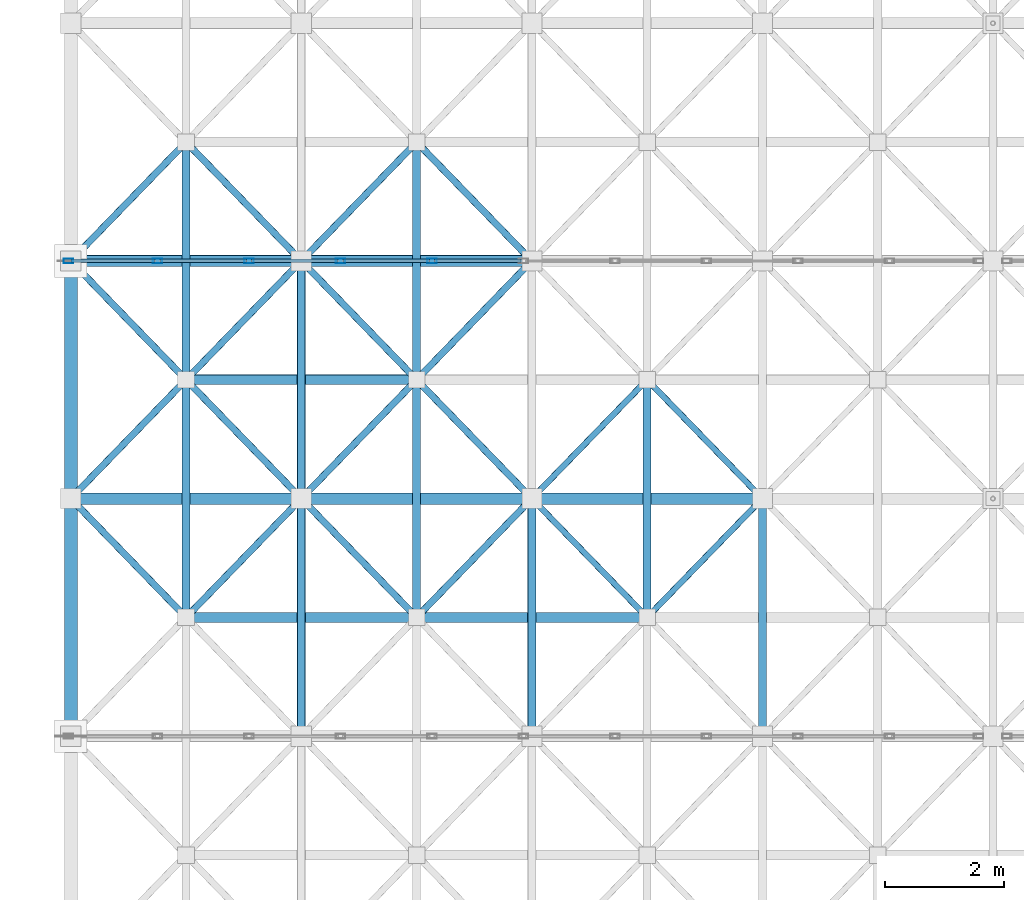
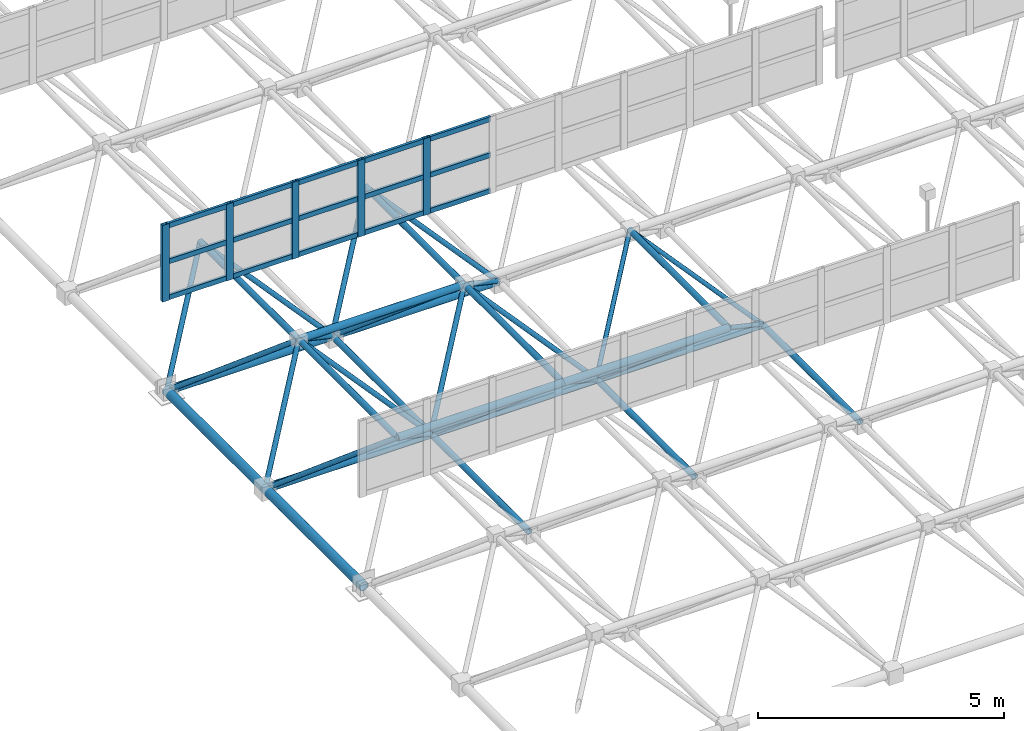
# One storey, part 53 of 195: 59 members, 1 element without a shape of its own.
"""IFC4 building model written with IfcOpenShell, lengths in metres."""

from ifc_helpers import new_model, si_unit, direction, frame, origin, origin_2d, place, context, subcontext, project, spatial, hollow_rectangle, hollow_circle, extrude, material, material_profile, profile_set, type_object, element, aggregate, save


model = new_model("IFC4")

# Units and contexts
model_context = context("Model", 3, precision=1e-05, world=origin(), true_north=direction((0.0, 1.0)))
body_context = subcontext(model_context, "Body", "Model", "MODEL_VIEW")
ifc_project = project(units=[si_unit("LENGTHUNIT", "METRE"), si_unit("AREAUNIT", "SQUARE_METRE"), si_unit("VOLUMEUNIT", "CUBIC_METRE"), si_unit("PLANEANGLEUNIT", "RADIAN"), si_unit("MASSUNIT", "GRAM", prefix="KILO")], contexts=[model_context])

# Site, building, storey
site_placement = place(None, origin())
site = spatial("IfcSite", under=ifc_project, at=site_placement, CompositionType="ELEMENT")
building_placement = place(site_placement, origin())
building = spatial("IfcBuilding", under=site, at=building_placement, Name="Kharva Crest Polytechnic", CompositionType="ELEMENT")
storey_placement = place(building_placement, frame((0.0, 0.0, 9.0)))
storey = spatial("IfcBuildingStorey", under=building, at=storey_placement, Name="L02", CompositionType="ELEMENT", Elevation=9.0)

# Curtain wall, members
ifc_material_1 = material(Name="Tempered insulated glass", Category="glass")
curtain_wall_type = type_object("IfcCurtainWallType", Name="CW-SYS-NORTHLIGHT", PredefinedType="USERDEFINED", material=ifc_material_1)
curtain_wall_placement = place(storey_placement, origin())
curtain_wall = element("IfcCurtainWall", 1, at=curtain_wall_placement, inside=storey, type_object=curtain_wall_type, Name="L02 Glazed Curtain Wall CW-191", ObjectType="CURTAIN WALL", PredefinedType="USERDEFINED")
ifc_material_2 = material(Name="Steel S355", Category="steel")
ifc_material_profile_1 = material_profile(ifc_material_2, hollow_rectangle(XDim=0.080078125, YDim=0.159912109375, WallThickness=0.0048828125, at=origin_2d()), Name="RHS 160X80X5.0")
ifc_profile_set_1 = profile_set([ifc_material_profile_1], Name="Steel S355")
member_type_1 = type_object("IfcMemberType", Name="CWM-RHS160X80", PredefinedType="MULLION", material=ifc_profile_set_1)
member_1_placement = place(storey_placement, frame((0.43994140625, 54.800048828125, 2.85009765625), z_axis=(0.0, 0.0, 1.0), x_axis=(0.0, 1.0, 0.0)))
member_1 = element("IfcMember", 2, at=member_1_placement, type_object=member_type_1, Name="CW-191 mullion 1", PredefinedType="MULLION", context=body_context, shape_type="SweptSolid", body=[
    extrude(hollow_rectangle(XDim=0.080078125, YDim=0.159912109375, WallThickness=0.0048828125, at=origin_2d()), origin(), (0.0, 0.0, 1.0), 1.89990234375),
])
member_2_placement = place(storey_placement, frame((1.93994140625, 54.800048828125, 2.85009765625), z_axis=(0.0, 0.0, 1.0), x_axis=(0.0, 1.0, 0.0)))
member_2 = element("IfcMember", 3, at=member_2_placement, type_object=member_type_1, Name="CW-191 mullion 2", PredefinedType="MULLION", context=body_context, shape_type="SweptSolid", body=[
    extrude(hollow_rectangle(XDim=0.080078125, YDim=0.159912109375, WallThickness=0.0048828125, at=origin_2d()), origin(), (0.0, 0.0, 1.0), 1.89990234375),
])
member_3_placement = place(storey_placement, frame((3.47998046875, 54.800048828125, 2.85009765625), z_axis=(0.0, 0.0, 1.0), x_axis=(0.0, 1.0, 0.0)))
member_3 = element("IfcMember", 4, at=member_3_placement, type_object=member_type_1, Name="CW-191 mullion 3", PredefinedType="MULLION", context=body_context, shape_type="SweptSolid", body=[
    extrude(hollow_rectangle(XDim=0.080078125, YDim=0.159912109375, WallThickness=0.0048828125, at=origin_2d()), origin(), (0.0, 0.0, 1.0), 1.89990234375),
])
member_4_placement = place(storey_placement, frame((5.02001953125, 54.800048828125, 2.85009765625), z_axis=(0.0, 0.0, 1.0), x_axis=(0.0, 1.0, 0.0)))
member_4 = element("IfcMember", 5, at=member_4_placement, type_object=member_type_1, Name="CW-191 mullion 4", PredefinedType="MULLION", context=body_context, shape_type="SweptSolid", body=[
    extrude(hollow_rectangle(XDim=0.080078125, YDim=0.159912109375, WallThickness=0.0048828125, at=origin_2d()), origin(), (0.0, 0.0, 1.0), 1.89990234375),
])
member_5_placement = place(storey_placement, frame((6.56005859375, 54.800048828125, 2.85009765625), z_axis=(0.0, 0.0, 1.0), x_axis=(0.0, 1.0, 0.0)))
member_5 = element("IfcMember", 6, at=member_5_placement, type_object=member_type_1, Name="CW-191 mullion 5", PredefinedType="MULLION", context=body_context, shape_type="SweptSolid", body=[
    extrude(hollow_rectangle(XDim=0.080078125, YDim=0.159912109375, WallThickness=0.0048828125, at=origin_2d()), origin(), (0.0, 0.0, 1.0), 1.89990234375),
])
ifc_material_profile_2 = material_profile(ifc_material_2, hollow_rectangle(XDim=0.06005859375, YDim=0.1201171875, WallThickness=0.00390625, at=origin_2d()), Name="RHS 120X60X4.0")
ifc_profile_set_2 = profile_set([ifc_material_profile_2], Name="Steel S355")
member_type_2 = type_object("IfcMemberType", Name="CWT-RHS120X60", PredefinedType="USERDEFINED", material=ifc_profile_set_2)
member_6_placement = place(storey_placement, frame((0.47998046875, 54.800048828125, 2.909912109375), z_axis=(1.0, 0.0, 0.0), x_axis=(0.0, 1.0, 0.0)))
member_6 = element("IfcMember", 7, at=member_6_placement, type_object=member_type_2, Name="CW-191 transom 1.1", ObjectType="TRANSOM", PredefinedType="USERDEFINED", context=body_context, shape_type="SweptSolid", body=[
    extrude(hollow_rectangle(XDim=0.06005859375, YDim=0.1201171875, WallThickness=0.00390625, at=origin_2d()), origin(), (0.0, 0.0, 1.0), 1.419921875),
])
member_7_placement = place(storey_placement, frame((0.47998046875, 54.800048828125, 3.800048828125), z_axis=(1.0, 0.0, 0.0), x_axis=(0.0, 1.0, 0.0)))
member_7 = element("IfcMember", 8, at=member_7_placement, type_object=member_type_2, Name="CW-191 transom 1.2", ObjectType="TRANSOM", PredefinedType="USERDEFINED", context=body_context, shape_type="SweptSolid", body=[
    extrude(hollow_rectangle(XDim=0.06005859375, YDim=0.1201171875, WallThickness=0.00390625, at=origin_2d()), origin(), (0.0, 0.0, 1.0), 1.419921875),
])
member_8_placement = place(storey_placement, frame((0.47998046875, 54.800048828125, 4.68994140625), z_axis=(1.0, 0.0, 0.0), x_axis=(0.0, 1.0, 0.0)))
member_8 = element("IfcMember", 9, at=member_8_placement, type_object=member_type_2, Name="CW-191 transom 1.3", ObjectType="TRANSOM", PredefinedType="USERDEFINED", context=body_context, shape_type="SweptSolid", body=[
    extrude(hollow_rectangle(XDim=0.06005859375, YDim=0.1201171875, WallThickness=0.00390625, at=origin_2d()), origin(), (0.0, 0.0, 1.0), 1.419921875),
])
member_9_placement = place(storey_placement, frame((1.97998046875, 54.800048828125, 2.909912109375), z_axis=(1.0, 0.0, 0.0), x_axis=(0.0, 1.0, 0.0)))
member_9 = element("IfcMember", 10, at=member_9_placement, type_object=member_type_2, Name="CW-191 transom 2.1", ObjectType="TRANSOM", PredefinedType="USERDEFINED", context=body_context, shape_type="SweptSolid", body=[
    extrude(hollow_rectangle(XDim=0.06005859375, YDim=0.1201171875, WallThickness=0.00390625, at=origin_2d()), origin(), (0.0, 0.0, 1.0), 1.4599609375),
])
member_10_placement = place(storey_placement, frame((1.97998046875, 54.800048828125, 3.800048828125), z_axis=(1.0, 0.0, 0.0), x_axis=(0.0, 1.0, 0.0)))
member_10 = element("IfcMember", 11, at=member_10_placement, type_object=member_type_2, Name="CW-191 transom 2.2", ObjectType="TRANSOM", PredefinedType="USERDEFINED", context=body_context, shape_type="SweptSolid", body=[
    extrude(hollow_rectangle(XDim=0.06005859375, YDim=0.1201171875, WallThickness=0.00390625, at=origin_2d()), origin(), (0.0, 0.0, 1.0), 1.4599609375),
])
member_11_placement = place(storey_placement, frame((1.97998046875, 54.800048828125, 4.68994140625), z_axis=(1.0, 0.0, 0.0), x_axis=(0.0, 1.0, 0.0)))
member_11 = element("IfcMember", 12, at=member_11_placement, type_object=member_type_2, Name="CW-191 transom 2.3", ObjectType="TRANSOM", PredefinedType="USERDEFINED", context=body_context, shape_type="SweptSolid", body=[
    extrude(hollow_rectangle(XDim=0.06005859375, YDim=0.1201171875, WallThickness=0.00390625, at=origin_2d()), origin(), (0.0, 0.0, 1.0), 1.4599609375),
])
member_12_placement = place(storey_placement, frame((3.52001953125, 54.800048828125, 2.909912109375), z_axis=(1.0, 0.0, 0.0), x_axis=(0.0, 1.0, 0.0)))
member_12 = element("IfcMember", 13, at=member_12_placement, type_object=member_type_2, Name="CW-191 transom 3.1", ObjectType="TRANSOM", PredefinedType="USERDEFINED", context=body_context, shape_type="SweptSolid", body=[
    extrude(hollow_rectangle(XDim=0.06005859375, YDim=0.1201171875, WallThickness=0.00390625, at=origin_2d()), origin(), (0.0, 0.0, 1.0), 1.4599609375),
])
member_13_placement = place(storey_placement, frame((3.52001953125, 54.800048828125, 3.800048828125), z_axis=(1.0, 0.0, 0.0), x_axis=(0.0, 1.0, 0.0)))
member_13 = element("IfcMember", 14, at=member_13_placement, type_object=member_type_2, Name="CW-191 transom 3.2", ObjectType="TRANSOM", PredefinedType="USERDEFINED", context=body_context, shape_type="SweptSolid", body=[
    extrude(hollow_rectangle(XDim=0.06005859375, YDim=0.1201171875, WallThickness=0.00390625, at=origin_2d()), origin(), (0.0, 0.0, 1.0), 1.4599609375),
])
member_14_placement = place(storey_placement, frame((3.52001953125, 54.800048828125, 4.68994140625), z_axis=(1.0, 0.0, 0.0), x_axis=(0.0, 1.0, 0.0)))
member_14 = element("IfcMember", 15, at=member_14_placement, type_object=member_type_2, Name="CW-191 transom 3.3", ObjectType="TRANSOM", PredefinedType="USERDEFINED", context=body_context, shape_type="SweptSolid", body=[
    extrude(hollow_rectangle(XDim=0.06005859375, YDim=0.1201171875, WallThickness=0.00390625, at=origin_2d()), origin(), (0.0, 0.0, 1.0), 1.4599609375),
])
member_15_placement = place(storey_placement, frame((5.06005859375, 54.800048828125, 2.909912109375), z_axis=(1.0, 0.0, 0.0), x_axis=(0.0, 1.0, 0.0)))
member_15 = element("IfcMember", 16, at=member_15_placement, type_object=member_type_2, Name="CW-191 transom 4.1", ObjectType="TRANSOM", PredefinedType="USERDEFINED", context=body_context, shape_type="SweptSolid", body=[
    extrude(hollow_rectangle(XDim=0.06005859375, YDim=0.1201171875, WallThickness=0.00390625, at=origin_2d()), origin(), (0.0, 0.0, 1.0), 1.4599609375),
])
member_16_placement = place(storey_placement, frame((5.06005859375, 54.800048828125, 3.800048828125), z_axis=(1.0, 0.0, 0.0), x_axis=(0.0, 1.0, 0.0)))
member_16 = element("IfcMember", 17, at=member_16_placement, type_object=member_type_2, Name="CW-191 transom 4.2", ObjectType="TRANSOM", PredefinedType="USERDEFINED", context=body_context, shape_type="SweptSolid", body=[
    extrude(hollow_rectangle(XDim=0.06005859375, YDim=0.1201171875, WallThickness=0.00390625, at=origin_2d()), origin(), (0.0, 0.0, 1.0), 1.4599609375),
])
member_17_placement = place(storey_placement, frame((5.06005859375, 54.800048828125, 4.68994140625), z_axis=(1.0, 0.0, 0.0), x_axis=(0.0, 1.0, 0.0)))
member_17 = element("IfcMember", 18, at=member_17_placement, type_object=member_type_2, Name="CW-191 transom 4.3", ObjectType="TRANSOM", PredefinedType="USERDEFINED", context=body_context, shape_type="SweptSolid", body=[
    extrude(hollow_rectangle(XDim=0.06005859375, YDim=0.1201171875, WallThickness=0.00390625, at=origin_2d()), origin(), (0.0, 0.0, 1.0), 1.4599609375),
])
member_18_placement = place(storey_placement, frame((6.60009765625, 54.800048828125, 2.909912109375), z_axis=(1.0, 0.0, 0.0), x_axis=(0.0, 1.0, 0.0)))
member_18 = element("IfcMember", 19, at=member_18_placement, type_object=member_type_2, Name="CW-191 transom 5.1", ObjectType="TRANSOM", PredefinedType="USERDEFINED", context=body_context, shape_type="SweptSolid", body=[
    extrude(hollow_rectangle(XDim=0.06005859375, YDim=0.1201171875, WallThickness=0.00390625, at=origin_2d()), origin(), (0.0, 0.0, 1.0), 1.4599609375),
])
member_19_placement = place(storey_placement, frame((6.60009765625, 54.800048828125, 3.800048828125), z_axis=(1.0, 0.0, 0.0), x_axis=(0.0, 1.0, 0.0)))
member_19 = element("IfcMember", 20, at=member_19_placement, type_object=member_type_2, Name="CW-191 transom 5.2", ObjectType="TRANSOM", PredefinedType="USERDEFINED", context=body_context, shape_type="SweptSolid", body=[
    extrude(hollow_rectangle(XDim=0.06005859375, YDim=0.1201171875, WallThickness=0.00390625, at=origin_2d()), origin(), (0.0, 0.0, 1.0), 1.4599609375),
])
member_20_placement = place(storey_placement, frame((6.60009765625, 54.800048828125, 4.68994140625), z_axis=(1.0, 0.0, 0.0), x_axis=(0.0, 1.0, 0.0)))
member_20 = element("IfcMember", 21, at=member_20_placement, type_object=member_type_2, Name="CW-191 transom 5.3", ObjectType="TRANSOM", PredefinedType="USERDEFINED", context=body_context, shape_type="SweptSolid", body=[
    extrude(hollow_rectangle(XDim=0.06005859375, YDim=0.1201171875, WallThickness=0.00390625, at=origin_2d()), origin(), (0.0, 0.0, 1.0), 1.4599609375),
])
aggregate(curtain_wall, [member_1, member_2, member_3, member_4, member_5, member_6, member_7, member_8, member_9, member_10, member_11, member_12, member_13, member_14, member_15, member_16, member_17, member_18, member_19, member_20])

# Members
ifc_material_profile_3 = material_profile(ifc_material_2, hollow_circle(Radius=0.05078125, WallThickness=0.0048828125, at=origin_2d()), Name="CHS 101.6X5.0")
ifc_profile_set_3 = profile_set([ifc_material_profile_3], Name="Steel S355")
member_type_3 = type_object("IfcMemberType", Name="MEM-CHS101", PredefinedType="BRACE", material=ifc_profile_set_3)
for number, where, z_axis, x_axis, name in (
    (22, (8.239990234375, 50.800048828125, 0.60009765625), (0.584843378742, -0.602949529154, 0.542595694449), (0.717802189577, 0.696247094528, 0.0), "Space Frame Web Diagonal 571"),
    (23, (12.1201171875, 50.800048828125, 0.60009765625), (-0.584891802813, -0.602923574763, 0.542572338032), (0.717758400015, -0.696292236929, 0.0), "Space Frame Web Diagonal 572"),
    (24, (8.239990234375, 50.800048828125, 0.60009765625), (0.584843378742, 0.602949529154, 0.542595694449), (-0.717802189577, 0.696247094528, 0.0), "Space Frame Web Diagonal 573"),
    (25, (12.1201171875, 50.800048828125, 0.60009765625), (-0.584891802813, 0.602923574763, 0.542572338032), (-0.717758400015, -0.696292236929, 0.0), "Space Frame Web Diagonal 574"),
):
    element("IfcMember", number, at=place(storey_placement, frame(where, z_axis=z_axis, x_axis=x_axis)), inside=storey, type_object=member_type_3, Name=name, PredefinedType="BRACE", context=body_context, shape_type="SweptSolid", body=[
        extrude(hollow_circle(Radius=0.05078125, WallThickness=0.0048828125, at=origin_2d()), origin(), (0.0, 0.0, 1.0), 3.317138671875),
    ])
ifc_material_profile_4 = material_profile(ifc_material_2, hollow_circle(Radius=0.05712890625, WallThickness=0.00634765625, at=origin_2d()), Name="CHS 114.3X6.3")
ifc_profile_set_4 = profile_set([ifc_material_profile_4], Name="Steel S355")
member_type_4 = type_object("IfcMemberType", Name="MEM-CHS114", PredefinedType="BRACE", material=ifc_profile_set_4)
for number, where, z_axis, x_axis, name in (
    (26, (0.47998046875, 50.800048828125, 0.60009765625), (0.584843378742, -0.602949529154, 0.542595694449), (0.717802189577, 0.696247094528, 0.0), "Space Frame Web Diagonal 459"),
    (27, (4.360107421875, 50.800048828125, 0.60009765625), (-0.584891802813, -0.602923574763, 0.542572338032), (0.717758400015, -0.696292236929, 0.0), "Space Frame Web Diagonal 460"),
    (28, (0.47998046875, 50.800048828125, 0.60009765625), (0.584843378742, 0.602949529154, 0.542595694449), (-0.717802189577, 0.696247094528, 0.0), "Space Frame Web Diagonal 461"),
    (29, (4.360107421875, 50.800048828125, 0.60009765625), (-0.584891802813, 0.602923574763, 0.542572338032), (-0.717758400015, -0.696292236929, 0.0), "Space Frame Web Diagonal 462"),
    (30, (0.47998046875, 54.800048828125, 0.60009765625), (0.584843378742, -0.602949529154, 0.542595694449), (0.717802189577, 0.696247094528, 0.0), "Space Frame Web Diagonal 463"),
    (31, (4.360107421875, 54.800048828125, 0.60009765625), (-0.584891802813, -0.602923574763, 0.542572338032), (0.717758400015, -0.696292236929, 0.0), "Space Frame Web Diagonal 464"),
    (32, (0.47998046875, 54.800048828125, 0.60009765625), (0.584843378742, 0.602949529154, 0.542595694449), (-0.717802189577, 0.696247094528, 0.0), "Space Frame Web Diagonal 465"),
    (33, (4.360107421875, 54.800048828125, 0.60009765625), (-0.584891802813, 0.602923574763, 0.542572338032), (-0.717758400015, -0.696292236929, 0.0), "Space Frame Web Diagonal 466"),
    (34, (4.360107421875, 50.800048828125, 0.60009765625), (0.584843378742, -0.602949529154, 0.542595694449), (0.717802189577, 0.696247094528, 0.0), "Space Frame Web Diagonal 515"),
    (35, (8.239990234375, 50.800048828125, 0.60009765625), (-0.584843378742, -0.602949529154, 0.542595694449), (0.717802189577, -0.696247094528, 0.0), "Space Frame Web Diagonal 516"),
    (36, (4.360107421875, 50.800048828125, 0.60009765625), (0.584843378742, 0.602949529154, 0.542595694449), (-0.717802189577, 0.696247094528, 0.0), "Space Frame Web Diagonal 517"),
    (37, (8.239990234375, 50.800048828125, 0.60009765625), (-0.584843378742, 0.602949529154, 0.542595694449), (-0.717802189577, -0.696247094528, 0.0), "Space Frame Web Diagonal 518"),
    (38, (4.360107421875, 54.800048828125, 0.60009765625), (0.584843378742, -0.602949529154, 0.542595694449), (0.717802189577, 0.696247094528, 0.0), "Space Frame Web Diagonal 519"),
    (39, (8.239990234375, 54.800048828125, 0.60009765625), (-0.584843378742, -0.602949529154, 0.542595694449), (0.717802189577, -0.696247094528, 0.0), "Space Frame Web Diagonal 520"),
    (40, (4.360107421875, 54.800048828125, 0.60009765625), (0.584843378742, 0.602949529154, 0.542595694449), (-0.717802189577, 0.696247094528, 0.0), "Space Frame Web Diagonal 521"),
    (41, (8.239990234375, 54.800048828125, 0.60009765625), (-0.584843378742, 0.602949529154, 0.542595694449), (-0.717802189577, -0.696247094528, 0.0), "Space Frame Web Diagonal 522"),
):
    element("IfcMember", number, at=place(storey_placement, frame(where, z_axis=z_axis, x_axis=x_axis)), inside=storey, type_object=member_type_4, Name=name, PredefinedType="BRACE", context=body_context, shape_type="SweptSolid", body=[
        extrude(hollow_circle(Radius=0.05712890625, WallThickness=0.00634765625, at=origin_2d()), origin(), (0.0, 0.0, 1.0), 3.317138671875),
    ])
ifc_material_profile_5 = material_profile(ifc_material_2, hollow_circle(Radius=0.06982421875, WallThickness=0.00634765625, at=origin_2d()), Name="CHS 139.7X6.3")
ifc_profile_set_5 = profile_set([ifc_material_profile_5], Name="Steel S355")
member_type_5 = type_object("IfcMemberType", Name="MEM-CHS139", PredefinedType="CHORD", material=ifc_profile_set_5)
for number, where, z_axis, x_axis, name in (
    (42, (4.360107421875, 46.800048828125, 0.60009765625), (0.0, 1.0, 0.0), (-1.0, 0.0, 0.0), "Space Frame Bottom Chord Y 137"),
    (43, (4.360107421875, 50.800048828125, 0.60009765625), (0.0, 1.0, 0.0), (-1.0, 0.0, 0.0), "Space Frame Bottom Chord Y 138"),
    (44, (8.239990234375, 46.800048828125, 0.60009765625), (0.0, 1.0, 0.0), (-1.0, 0.0, 0.0), "Space Frame Bottom Chord Y 151"),
    (45, (12.1201171875, 46.800048828125, 0.60009765625), (0.0, 1.0, 0.0), (-1.0, 0.0, 0.0), "Space Frame Bottom Chord Y 165"),
    (46, (2.419921875, 48.800048828125, 2.39990234375), (0.0, 1.0, 0.0), (-1.0, 0.0, 0.0), "Space Frame Top Chord Y 347"),
    (47, (2.419921875, 52.800048828125, 2.39990234375), (0.0, 1.0, 0.0), (-1.0, 0.0, 0.0), "Space Frame Top Chord Y 348"),
    (48, (6.300048828125, 48.800048828125, 2.39990234375), (0.0, 1.0, 0.0), (-1.0, 0.0, 0.0), "Space Frame Top Chord Y 360"),
    (49, (6.300048828125, 52.800048828125, 2.39990234375), (0.0, 1.0, 0.0), (-1.0, 0.0, 0.0), "Space Frame Top Chord Y 361"),
    (50, (10.179931640625, 48.800048828125, 2.39990234375), (0.0, 1.0, 0.0), (-1.0, 0.0, 0.0), "Space Frame Top Chord Y 373"),
):
    element("IfcMember", number, at=place(storey_placement, frame(where, z_axis=z_axis, x_axis=x_axis)), inside=storey, type_object=member_type_5, Name=name, PredefinedType="CHORD", context=body_context, shape_type="SweptSolid", body=[
        extrude(hollow_circle(Radius=0.06982421875, WallThickness=0.00634765625, at=origin_2d()), origin(), (0.0, 0.0, 1.0), 4.0),
    ])
ifc_material_profile_6 = material_profile(ifc_material_2, hollow_circle(Radius=0.084228515625, WallThickness=0.008056640625, at=origin_2d()), Name="CHS 168.3X8.0")
ifc_profile_set_6 = profile_set([ifc_material_profile_6], Name="Steel S355")
member_type_6 = type_object("IfcMemberType", Name="MEM-CHS168", PredefinedType="CHORD", material=ifc_profile_set_6)
member_21_placement = place(storey_placement, frame((2.419921875, 48.800048828125, 2.39990234375), z_axis=(1.0, 0.0, 0.0), x_axis=(0.0, 1.0, 0.0)))
element("IfcMember", 51, at=member_21_placement, inside=storey, type_object=member_type_6, Name="Space Frame Top Chord X 261", PredefinedType="CHORD", context=body_context, shape_type="SweptSolid", body=[
    extrude(hollow_circle(Radius=0.084228515625, WallThickness=0.008056640625, at=origin_2d()), origin(), (0.0, 0.0, 1.0), 3.880126953125),
])
member_22_placement = place(storey_placement, frame((6.300048828125, 48.800048828125, 2.39990234375), z_axis=(1.0, 0.0, 0.0), x_axis=(0.0, 1.0, 0.0)))
element("IfcMember", 52, at=member_22_placement, inside=storey, type_object=member_type_6, Name="Space Frame Top Chord X 262", PredefinedType="CHORD", context=body_context, shape_type="SweptSolid", body=[
    extrude(hollow_circle(Radius=0.084228515625, WallThickness=0.008056640625, at=origin_2d()), origin(), (0.0, 0.0, 1.0), 3.8798828125),
])
member_23_placement = place(storey_placement, frame((2.419921875, 52.800048828125, 2.39990234375), z_axis=(1.0, 0.0, 0.0), x_axis=(0.0, 1.0, 0.0)))
element("IfcMember", 53, at=member_23_placement, inside=storey, type_object=member_type_6, Name="Space Frame Top Chord X 268", PredefinedType="CHORD", context=body_context, shape_type="SweptSolid", body=[
    extrude(hollow_circle(Radius=0.084228515625, WallThickness=0.008056640625, at=origin_2d()), origin(), (0.0, 0.0, 1.0), 3.880126953125),
])
ifc_material_profile_7 = material_profile(ifc_material_2, hollow_circle(Radius=0.096923828125, WallThickness=0.008056640625, at=origin_2d()), Name="CHS 193.7X8.0")
ifc_profile_set_7 = profile_set([ifc_material_profile_7], Name="Steel S355")
member_type_7 = type_object("IfcMemberType", Name="MEM-CHS193", PredefinedType="CHORD", material=ifc_profile_set_7)
member_24_placement = place(storey_placement, frame((0.47998046875, 50.800048828125, 0.60009765625), z_axis=(1.0, 0.0, 0.0), x_axis=(0.0, 1.0, 0.0)))
element("IfcMember", 54, at=member_24_placement, inside=storey, type_object=member_type_7, Name="Space Frame Bottom Chord X 25", PredefinedType="CHORD", context=body_context, shape_type="SweptSolid", body=[
    extrude(hollow_circle(Radius=0.096923828125, WallThickness=0.008056640625, at=origin_2d()), origin(), (0.0, 0.0, 1.0), 3.880126953125),
])
member_25_placement = place(storey_placement, frame((4.360107421875, 50.800048828125, 0.60009765625), z_axis=(1.0, 0.0, 0.0), x_axis=(0.0, 1.0, 0.0)))
element("IfcMember", 55, at=member_25_placement, inside=storey, type_object=member_type_7, Name="Space Frame Bottom Chord X 26", PredefinedType="CHORD", context=body_context, shape_type="SweptSolid", body=[
    extrude(hollow_circle(Radius=0.096923828125, WallThickness=0.008056640625, at=origin_2d()), origin(), (0.0, 0.0, 1.0), 3.8798828125),
])
for number, where, z_axis, x_axis, name in (
    (56, (8.239990234375, 50.800048828125, 0.60009765625), (1.0, 0.0, 0.0), (0.0, 1.0, 0.0), "Space Frame Bottom Chord X 27"),
    (57, (0.47998046875, 54.800048828125, 0.60009765625), (1.0, 0.0, 0.0), (0.0, 1.0, 0.0), "Space Frame Bottom Chord X 33"),
):
    element("IfcMember", number, at=place(storey_placement, frame(where, z_axis=z_axis, x_axis=x_axis)), inside=storey, type_object=member_type_7, Name=name, PredefinedType="CHORD", context=body_context, shape_type="SweptSolid", body=[
        extrude(hollow_circle(Radius=0.096923828125, WallThickness=0.008056640625, at=origin_2d()), origin(), (0.0, 0.0, 1.0), 3.880126953125),
    ])
member_26_placement = place(storey_placement, frame((4.360107421875, 54.800048828125, 0.60009765625), z_axis=(1.0, 0.0, 0.0), x_axis=(0.0, 1.0, 0.0)))
element("IfcMember", 58, at=member_26_placement, inside=storey, type_object=member_type_7, Name="Space Frame Bottom Chord X 34", PredefinedType="CHORD", context=body_context, shape_type="SweptSolid", body=[
    extrude(hollow_circle(Radius=0.096923828125, WallThickness=0.008056640625, at=origin_2d()), origin(), (0.0, 0.0, 1.0), 3.8798828125),
])
ifc_material_profile_8 = material_profile(ifc_material_2, hollow_circle(Radius=0.109619140625, WallThickness=0.010009765625, at=origin_2d()), Name="CHS 219.1X10.0")
ifc_profile_set_8 = profile_set([ifc_material_profile_8], Name="Steel S355")
member_type_8 = type_object("IfcMemberType", Name="MEM-CHS219", PredefinedType="CHORD", material=ifc_profile_set_8)
for number, where, z_axis, x_axis, name in (
    (59, (0.47998046875, 46.800048828125, 0.60009765625), (0.0, 1.0, 0.0), (-1.0, 0.0, 0.0), "Space Frame Bottom Chord Y 123"),
    (60, (0.47998046875, 50.800048828125, 0.60009765625), (0.0, 1.0, 0.0), (-1.0, 0.0, 0.0), "Space Frame Bottom Chord Y 124"),
):
    element("IfcMember", number, at=place(storey_placement, frame(where, z_axis=z_axis, x_axis=x_axis)), inside=storey, type_object=member_type_8, Name=name, PredefinedType="CHORD", context=body_context, shape_type="SweptSolid", body=[
        extrude(hollow_circle(Radius=0.109619140625, WallThickness=0.010009765625, at=origin_2d()), origin(), (0.0, 0.0, 1.0), 4.0),
    ])

save(model, "model.ifc")
